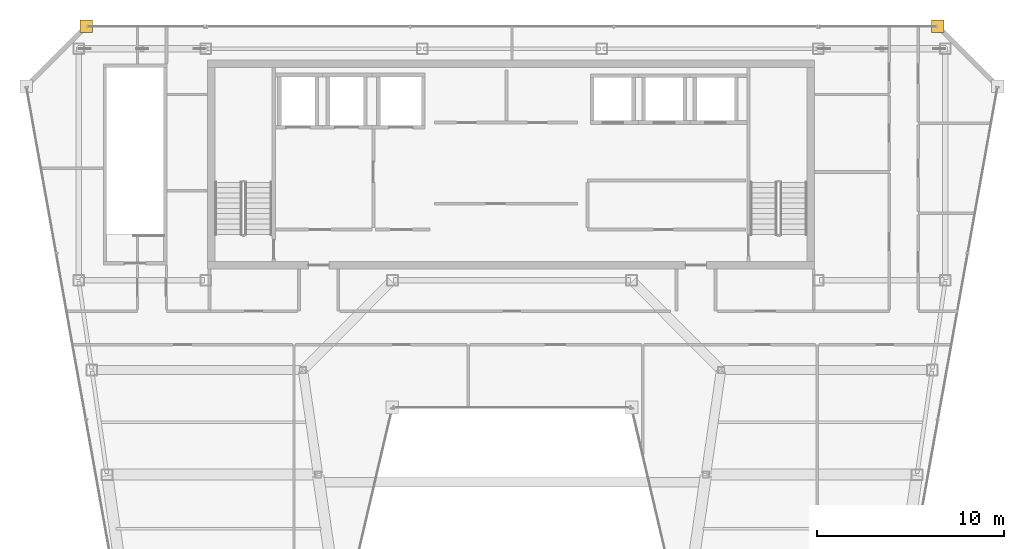
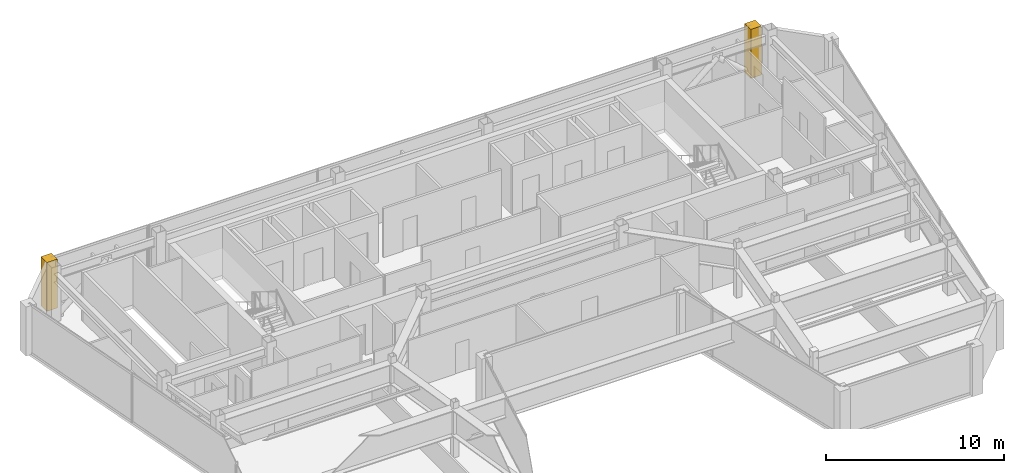
# One storey, part 30 of 30: 2 coverings.
"""IFC4 building model written with IfcOpenShell, lengths in metres."""

from ifc_helpers import new_model, si_unit, direction, frame, origin, place, context, subcontext, project, spatial, polyline, outline, extrude, material, layer, layer_set, type_object, element, save


model = new_model("IFC4")

# Units and contexts
model_context = context("Model", 3, precision=1e-05, world=origin(), true_north=direction((0.0, 1.0)))
body_context = subcontext(model_context, "Body", "Model", "MODEL_VIEW")
ifc_project = project(units=[si_unit("LENGTHUNIT", "METRE"), si_unit("AREAUNIT", "SQUARE_METRE"), si_unit("VOLUMEUNIT", "CUBIC_METRE"), si_unit("PLANEANGLEUNIT", "RADIAN"), si_unit("MASSUNIT", "GRAM", prefix="KILO")], contexts=[model_context])

# Site, building, storey
site_placement = place(None, origin())
site = spatial("IfcSite", under=ifc_project, at=site_placement, CompositionType="ELEMENT")
building_placement = place(site_placement, origin())
building = spatial("IfcBuilding", under=site, at=building_placement, Name="Saevonmaru Cultural Tower", CompositionType="ELEMENT")
storey_placement = place(building_placement, frame((0.0, 0.0, 272.39990234375)))
storey = spatial("IfcBuildingStorey", under=building, at=storey_placement, Name="L64", CompositionType="ELEMENT", Elevation=272.39990234375)

# Coverings
ifc_material = material(Name="Satin Bronze Anodised Aluminium", Category="aluminium")
ifc_layer = layer(ifc_material, 0.679931640625, Name="Satin Bronze Anodised Aluminium")
ifc_layer_set = layer_set([ifc_layer], Name="Satin Bronze Anodised Aluminium")
covering_type = type_object("IfcCoveringType", Name="CV-CORNER-CLAD", PredefinedType="CLADDING", material=ifc_layer_set)
covering_1_placement = place(storey_placement, origin())
element("IfcCovering", 1, at=covering_1_placement, inside=storey, type_object=covering_type, Name="L64 Tower Bronze Corner Cladding Pier 10", PredefinedType="CLADDING", context=body_context, shape_type="SweptSolid", body=[
    extrude(outline(polyline([(52.4599609375, 55.659912109375), (53.139892578125, 55.659912109375), (53.139892578125, 56.340087890625), (52.4599609375, 56.340087890625), (52.4599609375, 55.659912109375)])), origin(), (0.0, 0.0, 1.0), 3.35009765625),
])
covering_2_placement = place(storey_placement, origin())
element("IfcCovering", 2, at=covering_2_placement, inside=storey, type_object=covering_type, Name="L64 Tower Bronze Corner Cladding Pier 11", PredefinedType="CLADDING", context=body_context, shape_type="SweptSolid", body=[
    extrude(outline(polyline([(6.860107421875, 55.659912109375), (7.5400390625, 55.659912109375), (7.5400390625, 56.340087890625), (6.860107421875, 56.340087890625), (6.860107421875, 55.659912109375)])), origin(), (0.0, 0.0, 1.0), 3.35009765625),
])

save(model, "model.ifc")
